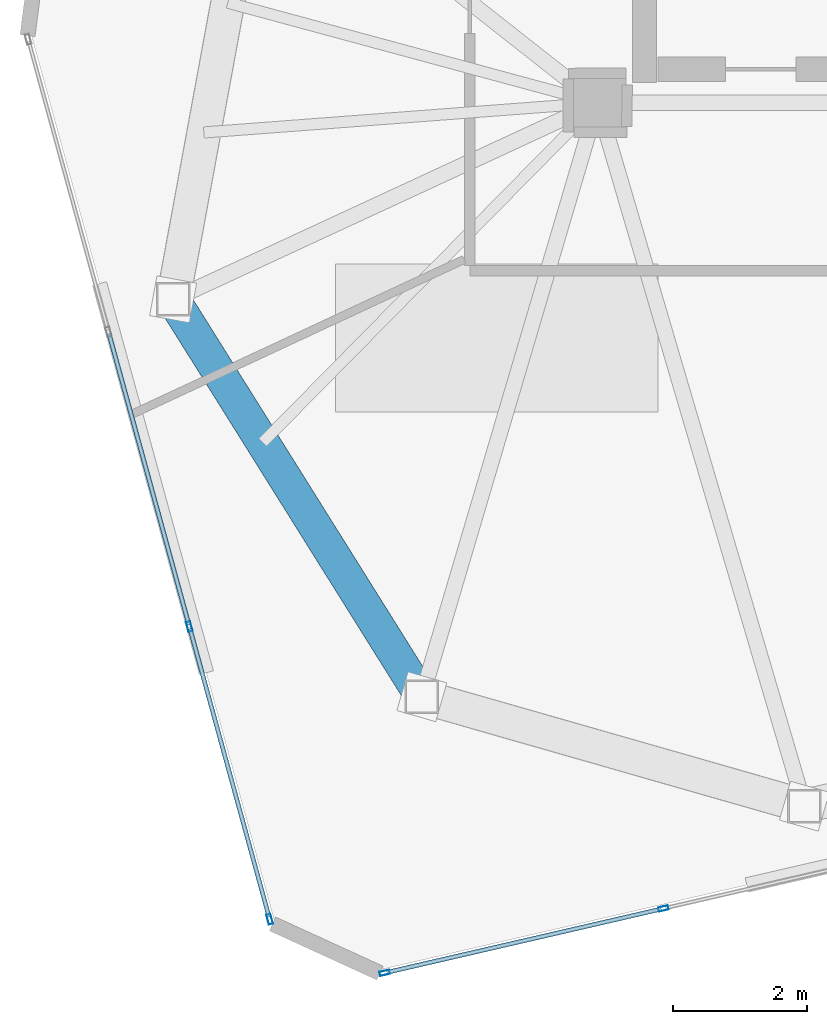
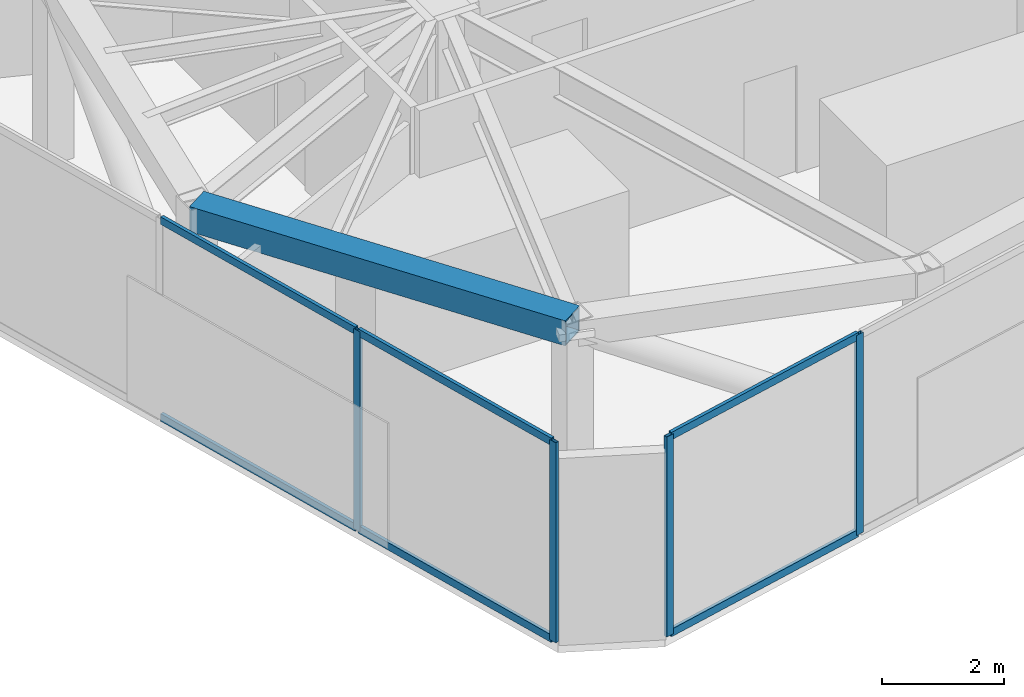
# One storey, part 2 of 21: 10 members, 1 beam, 2 elements without a shape of their own.
"""IFC4 building model written with IfcOpenShell, lengths in metres."""

from ifc_helpers import new_model, si_unit, direction, frame, origin, origin_2d, place, context, subcontext, project, spatial, hollow_rectangle, extrude, source, transform, mapped, material, layer, layer_set, material_profile, profile_set, type_object, type_shapes, element, aggregate, save


model = new_model("IFC4")

# Units and contexts
model_context = context("Model", 3, precision=1e-05, world=origin(), true_north=direction((0.0, 1.0)))
body_context = subcontext(model_context, "Body", "Model", "MODEL_VIEW")
ifc_project = project(units=[si_unit("LENGTHUNIT", "METRE"), si_unit("AREAUNIT", "SQUARE_METRE"), si_unit("VOLUMEUNIT", "CUBIC_METRE"), si_unit("PLANEANGLEUNIT", "RADIAN"), si_unit("MASSUNIT", "GRAM", prefix="KILO")], contexts=[model_context])

# Site, building, storey
site_placement = place(None, origin())
site = spatial("IfcSite", under=ifc_project, at=site_placement, CompositionType="ELEMENT")
building_placement = place(site_placement, origin())
building = spatial("IfcBuilding", under=site, at=building_placement, Name="Talar Marvaseh", CompositionType="ELEMENT")
storey_placement = place(building_placement, frame((0.0, 0.0, 308.0)))
storey = spatial("IfcBuildingStorey", under=building, at=storey_placement, Name="L82", CompositionType="ELEMENT", Elevation=308.0)

# Beam
ifc_material_1 = material(Name="Steel S460", Category="steel")
ifc_material_profile_1 = material_profile(ifc_material_1, hollow_rectangle(XDim=0.5, YDim=0.5, WallThickness=0.02490234375, at=origin_2d()), Name="BOX500x500x25")
ifc_profile_set_1 = profile_set([ifc_material_profile_1], Name="Steel S460")
beam_type = type_object("IfcBeamType", Name="Crown Frame Top Ring Beam BOX500x500x25", PredefinedType="BEAM", material=ifc_profile_set_1)
beam_placement = place(storey_placement, frame((16.0869140625, 16.66796875, 3.489990234375), z_axis=(-0.530505706813, 0.847681364098, 0.0), x_axis=(-0.847681364098, -0.530505706813, 0.0)))
element("IfcBeam", 1, at=beam_placement, inside=storey, type_object=beam_type, Name="L82 Crown Frame Top Ring Beam BOX500x500x25", PredefinedType="BEAM", context=body_context, shape_type="SweptSolid", body=[
    extrude(hollow_rectangle(XDim=0.5, YDim=0.5, WallThickness=0.02490234375, at=origin_2d()), origin(), (0.0, 0.0, 1.0), 6.970703125),
])

# Curtain wall, members
ifc_material_2 = material(Name="Architectural Aluminium", Category="aluminium")
ifc_layer = layer(ifc_material_2, 0.2099609375)
ifc_layer_set = layer_set([ifc_layer], Name="Architectural Aluminium")
curtain_wall_type = type_object("IfcCurtainWallType", Name="Crown Plant Acoustic Spandrel Curtain Wall", PredefinedType="NOTDEFINED", material=ifc_layer_set)
curtain_wall_1_placement = place(storey_placement, origin())
curtain_wall_1 = element("IfcCurtainWall", 2, at=curtain_wall_1_placement, inside=storey, type_object=curtain_wall_type, Name="L82 Crown Plant Acoustic Spandrel Curtain Wall", PredefinedType="NOTDEFINED")
ifc_material_profile_2 = material_profile(ifc_material_2, hollow_rectangle(XDim=0.06494140625, YDim=0.14990234375, WallThickness=0.00390625, at=origin_2d()), Name="RHS150x65x4")
ifc_profile_set_2 = profile_set([ifc_material_profile_2], Name="Architectural Aluminium")
member_type_1 = type_object("IfcMemberType", Name="Unitised Curtain Wall Slim Transom RHS150x65x4", PredefinedType="USERDEFINED", material=ifc_profile_set_2)
shared_shape_1 = source(origin(), body_context, "Body", "SweptSolid", [
    extrude(hollow_rectangle(XDim=0.06494140625, YDim=0.14990234375, WallThickness=0.00390625, at=origin_2d()), origin(), (0.0, 0.0, 1.0), 4.479736328125),
])
member_1_placement = place(storey_placement, frame((12.62158203125, 17.74169921875, 0.032470703125), z_axis=(-0.264643446384, 0.96434633109, 0.0), x_axis=(-0.96434633109, -0.264643446384, 0.0)))
member_1 = element("IfcMember", 3, at=member_1_placement, type_object=member_type_1, Name="CW-CRN transom 2.1", ObjectType="TRANSOM", PredefinedType="USERDEFINED", context=body_context, shape_type="MappedRepresentation", body=[
    mapped(shared_shape_1, transform((0.0, 0.0, 0.0), x_axis=(1.0, 0.0, 0.0), y_axis=(0.0, 1.0, 0.0), z_axis=(0.0, 0.0, 1.0), scale=1.0)),
])
member_2_placement = place(storey_placement, frame((12.62158203125, 17.74169921875, 3.967529296875), z_axis=(-0.264643446384, 0.96434633109, 0.0), x_axis=(-0.96434633109, -0.264643446384, 0.0)))
member_2 = element("IfcMember", 4, at=member_2_placement, type_object=member_type_1, Name="CW-CRN transom 2.2", ObjectType="TRANSOM", PredefinedType="USERDEFINED", context=body_context, shape_type="MappedRepresentation", body=[
    mapped(shared_shape_1, transform((0.0, 0.0, 0.0), x_axis=(1.0, 0.0, 0.0), y_axis=(0.0, 1.0, 0.0), z_axis=(0.0, 0.0, 1.0), scale=1.0)),
])
shared_shape_2 = source(origin(), body_context, "Body", "SweptSolid", [
    extrude(hollow_rectangle(XDim=0.06494140625, YDim=0.14990234375, WallThickness=0.00390625, at=origin_2d()), origin(), (0.0, 0.0, 1.0), 4.447509765625),
])
member_3_placement = place(storey_placement, frame((13.81591796875, 13.39013671875, 0.032470703125), z_axis=(-0.264649917498, 0.964344555213, 0.0), x_axis=(-0.964344555213, -0.264649917498, 0.0)))
member_3 = element("IfcMember", 5, at=member_3_placement, type_object=member_type_1, Name="CW-CRN transom 1.1", ObjectType="TRANSOM", PredefinedType="USERDEFINED", context=body_context, shape_type="MappedRepresentation", body=[
    mapped(shared_shape_2, transform((0.0, 0.0, 0.0), x_axis=(1.0, 0.0, 0.0), y_axis=(0.0, 1.0, 0.0), z_axis=(0.0, 0.0, 1.0), scale=1.0)),
])
member_4_placement = place(storey_placement, frame((13.81591796875, 13.39013671875, 3.967529296875), z_axis=(-0.264649917498, 0.964344555213, 0.0), x_axis=(-0.964344555213, -0.264649917498, 0.0)))
member_4 = element("IfcMember", 6, at=member_4_placement, type_object=member_type_1, Name="CW-CRN transom 1.2", ObjectType="TRANSOM", PredefinedType="USERDEFINED", context=body_context, shape_type="MappedRepresentation", body=[
    mapped(shared_shape_2, transform((0.0, 0.0, 0.0), x_axis=(1.0, 0.0, 0.0), y_axis=(0.0, 1.0, 0.0), z_axis=(0.0, 0.0, 1.0), scale=1.0)),
])

curtain_wall_2_placement = place(storey_placement, origin())
curtain_wall_2 = element("IfcCurtainWall", 7, at=curtain_wall_2_placement, inside=storey, type_object=curtain_wall_type, Name="L82 Crown Plant Acoustic Spandrel Curtain Wall", PredefinedType="NOTDEFINED")
shared_shape_3 = source(origin(), body_context, "Body", "SweptSolid", [
    extrude(hollow_rectangle(XDim=0.06494140625, YDim=0.14990234375, WallThickness=0.00390625, at=origin_2d()), origin(), (0.0, 0.0, 1.0), 4.1884765625),
])
type_shapes(member_type_1, [shared_shape_1, shared_shape_2, shared_shape_3])
member_5_placement = place(storey_placement, frame((19.647705078125, 13.51123046875, 0.032470703125), z_axis=(-0.974334186725, -0.225106402796, 0.0), x_axis=(0.225106402796, -0.974334186725, 0.0)))
member_5 = element("IfcMember", 8, at=member_5_placement, type_object=member_type_1, Name="CW-CRN transom 4.1", ObjectType="TRANSOM", PredefinedType="USERDEFINED", context=body_context, shape_type="MappedRepresentation", body=[
    mapped(shared_shape_3, transform((0.0, 0.0, 0.0), x_axis=(1.0, 0.0, 0.0), y_axis=(0.0, 1.0, 0.0), z_axis=(0.0, 0.0, 1.0), scale=1.0)),
])
member_6_placement = place(storey_placement, frame((19.647705078125, 13.51123046875, 3.967529296875), z_axis=(-0.974334186725, -0.225106402796, 0.0), x_axis=(0.225106402796, -0.974334186725, 0.0)))
member_6 = element("IfcMember", 9, at=member_6_placement, type_object=member_type_1, Name="CW-CRN transom 4.2", ObjectType="TRANSOM", PredefinedType="USERDEFINED", context=body_context, shape_type="MappedRepresentation", body=[
    mapped(shared_shape_3, transform((0.0, 0.0, 0.0), x_axis=(1.0, 0.0, 0.0), y_axis=(0.0, 1.0, 0.0), z_axis=(0.0, 0.0, 1.0), scale=1.0)),
])

# Member
ifc_material_profile_3 = material_profile(ifc_material_2, hollow_rectangle(XDim=0.06494140625, YDim=0.14990234375, WallThickness=0.00390625, at=origin_2d()), Name="RHS150x65x4")
ifc_profile_set_3 = profile_set([ifc_material_profile_3], Name="Architectural Aluminium")
member_type_2 = type_object("IfcMemberType", Name="Unitised Curtain Wall Slim Mullion RHS150x65x4", PredefinedType="MULLION", material=ifc_profile_set_3)
shared_shape_4 = source(origin(), body_context, "Body", "SweptSolid", [
    extrude(hollow_rectangle(XDim=0.06494140625, YDim=0.14990234375, WallThickness=0.00390625, at=origin_2d()), origin(), (0.0, 0.0, 1.0), 4.0),
])
type_shapes(member_type_2, [shared_shape_4])
member_7_placement = place(storey_placement, frame((13.824462890625, 13.35888671875, 0.0), z_axis=(0.0, 0.0, 1.0), x_axis=(-0.964344721115, -0.264649312974, 0.0)))
member_7 = element("IfcMember", 10, at=member_7_placement, type_object=member_type_2, Name="CW-CRN mullion 1", PredefinedType="MULLION", context=body_context, shape_type="MappedRepresentation", body=[
    mapped(shared_shape_4, transform((0.0, 0.0, 0.0), x_axis=(1.0, 0.0, 0.0), y_axis=(0.0, 1.0, 0.0), z_axis=(0.0, 0.0, 1.0), scale=1.0)),
])

member_8_placement = place(storey_placement, frame((12.630126953125, 17.71044921875, 0.0), z_axis=(0.0, 0.0, 1.0), x_axis=(-0.964344721115, -0.264649312974, 0.0)))
member_8 = element("IfcMember", 11, at=member_8_placement, type_object=member_type_2, Name="CW-CRN mullion 2", PredefinedType="MULLION", context=body_context, shape_type="MappedRepresentation", body=[
    mapped(shared_shape_4, transform((0.0, 0.0, 0.0), x_axis=(1.0, 0.0, 0.0), y_axis=(0.0, 1.0, 0.0), z_axis=(0.0, 0.0, 1.0), scale=1.0)),
])

aggregate(curtain_wall_1, [member_7, member_8, member_3, member_4, member_1, member_2])

member_9_placement = place(storey_placement, frame((19.679443359375, 13.5185546875, 0.0), z_axis=(0.0, 0.0, 1.0), x_axis=(0.225103157943, -0.974334936397, 0.0)))
member_9 = element("IfcMember", 12, at=member_9_placement, type_object=member_type_2, Name="CW-CRN mullion 4", PredefinedType="MULLION", context=body_context, shape_type="MappedRepresentation", body=[
    mapped(shared_shape_4, transform((0.0, 0.0, 0.0), x_axis=(1.0, 0.0, 0.0), y_axis=(0.0, 1.0, 0.0), z_axis=(0.0, 0.0, 1.0), scale=1.0)),
])

member_10_placement = place(storey_placement, frame((15.534912109375, 12.56103515625, 0.0), z_axis=(0.0, 0.0, 1.0), x_axis=(0.225103157943, -0.974334936397, 0.0)))
member_10 = element("IfcMember", 13, at=member_10_placement, type_object=member_type_2, Name="CW-CRN mullion 5", PredefinedType="MULLION", context=body_context, shape_type="MappedRepresentation", body=[
    mapped(shared_shape_4, transform((0.0, 0.0, 0.0), x_axis=(1.0, 0.0, 0.0), y_axis=(0.0, 1.0, 0.0), z_axis=(0.0, 0.0, 1.0), scale=1.0)),
])

aggregate(curtain_wall_2, [member_9, member_10, member_5, member_6])

save(model, "model.ifc")
